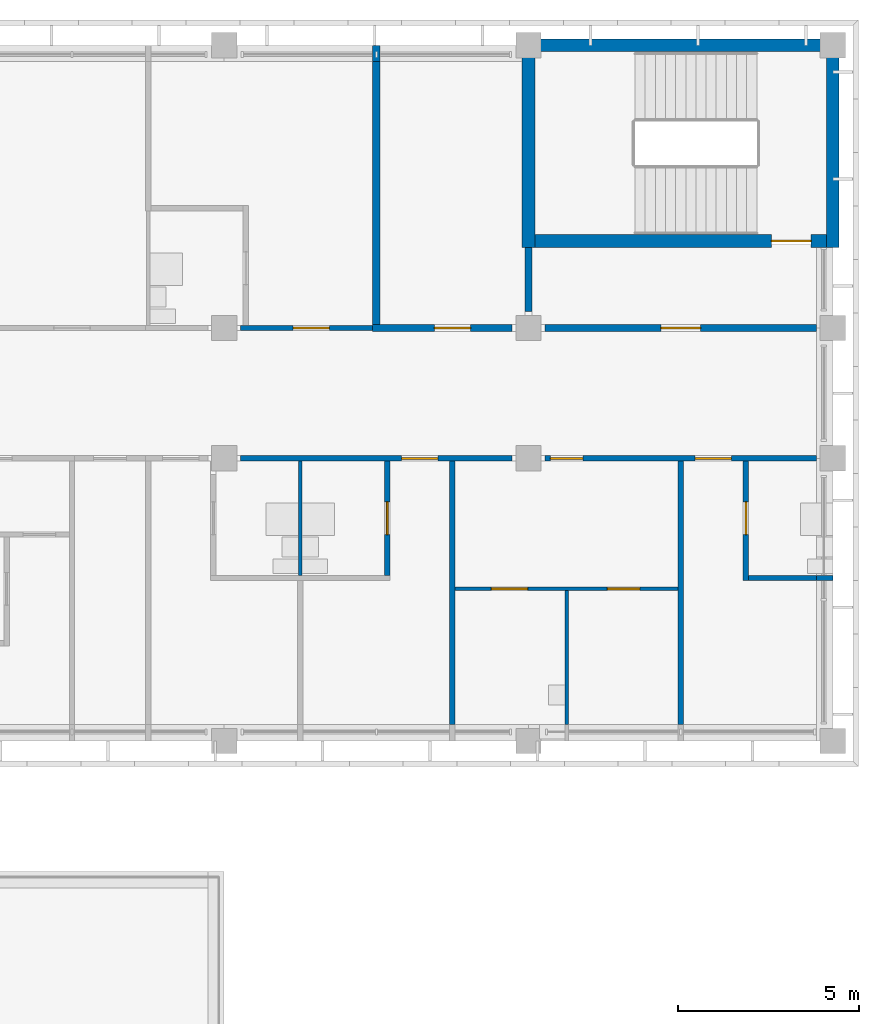
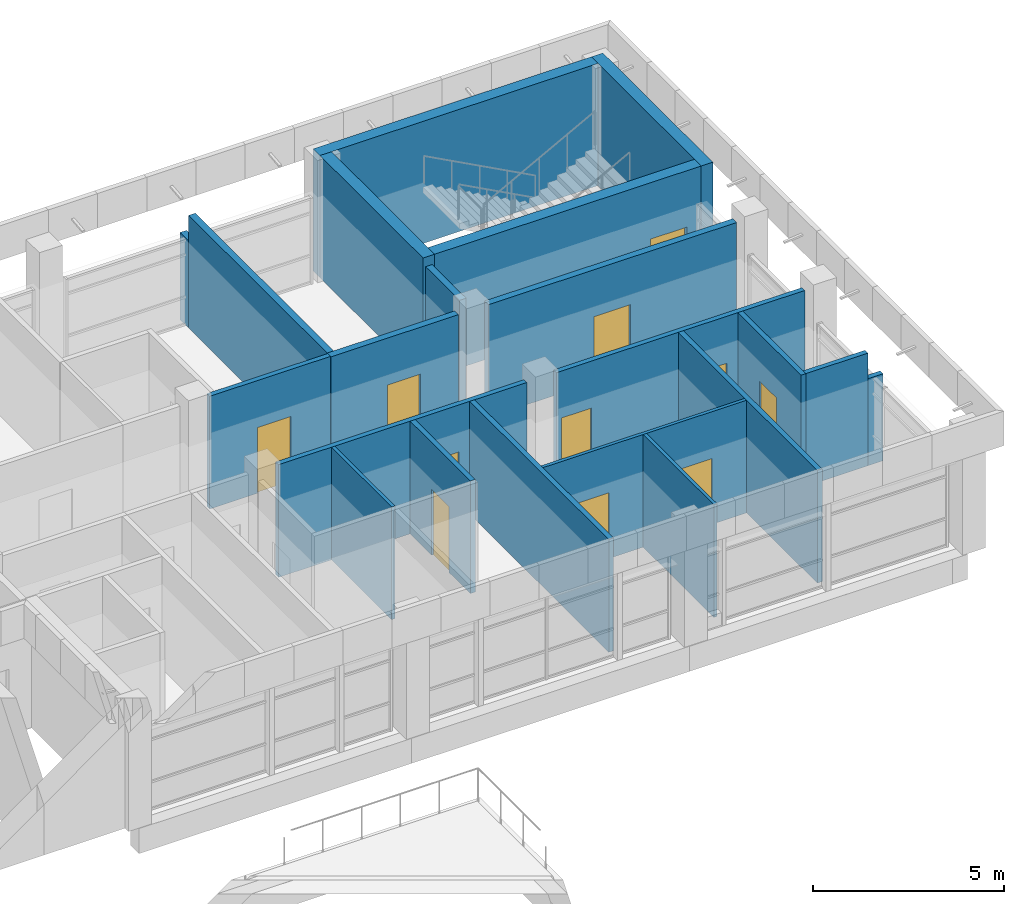
# One storey, part 27 of 46: 21 walls, 11 doors, 11 openings.
"""IFC4 building model written with IfcOpenShell, lengths in metres."""

from ifc_helpers import new_model, si_unit, direction, frame, frame_2d, origin, place, context, subcontext, project, spatial, rectangle, extrude, material, layer, layer_set, type_object, element, fill, save


model = new_model("IFC4")

# Units and contexts
model_context = context("Model", 3, precision=1e-05, world=origin(), true_north=direction((0.0, 1.0)))
body_context = subcontext(model_context, "Body", "Model", "MODEL_VIEW")
ifc_project = project(units=[si_unit("LENGTHUNIT", "METRE"), si_unit("AREAUNIT", "SQUARE_METRE"), si_unit("VOLUMEUNIT", "CUBIC_METRE"), si_unit("PLANEANGLEUNIT", "RADIAN"), si_unit("MASSUNIT", "GRAM", prefix="KILO")], contexts=[model_context])

# Site, building, storey
site_placement = place(None, origin())
site = spatial("IfcSite", under=ifc_project, at=site_placement, CompositionType="ELEMENT")
building_placement = place(site_placement, origin())
building = spatial("IfcBuilding", under=site, at=building_placement, Name="Bougainvillea Quay General Hospital", CompositionType="ELEMENT")
storey_placement = place(building_placement, frame((0.0, 0.0, 28.800048828125)))
storey = spatial("IfcBuildingStorey", under=building, at=storey_placement, Name="L06", CompositionType="ELEMENT", Elevation=28.800048828125)

# Wall, openings, doors
ifc_material_1 = material(Name="Gypsum board partition on steel studs", Category="steel")
ifc_layer_1 = layer(ifc_material_1, 0.10009765625)
ifc_layer_set_1 = layer_set([ifc_layer_1], Name="Gypsum board partition on steel studs")
wall_type_1 = type_object("IfcWallType", Name="Partition 100 Gypsum board partition", PredefinedType="PARTITIONING", material=ifc_layer_set_1)
wall_1_placement = place(storey_placement, frame((174.375, 144.60009765625, 0.0), z_axis=(0.0, 0.0, 1.0), x_axis=(1.0, 0.0, 0.0)))
wall_1 = element("IfcWall", 1, at=wall_1_placement, inside=storey, type_object=wall_type_1, Name="Partition 100 mm", PredefinedType="PARTITIONING", context=body_context, shape_type="SweptSolid", body=[
    extrude(rectangle(XDim=6.14990234375, YDim=0.10009765625, at=frame_2d((3.074951171875, 0.0))), origin(), (0.0, 0.0, 1.0), 3.599853515625),
])
opening_1_placement = place(wall_1_placement, frame((1.0, 0.0, 0.0)))
opening_1 = element("IfcOpeningElement", 2, at=opening_1_placement, cuts=wall_1, Name="Opening L06.097", PredefinedType="OPENING", context=body_context, shape_type="SweptSolid", body=[
    extrude(rectangle(XDim=1.0, YDim=2.10009765625, at=frame_2d((0.5, 1.050048828125))), frame((0.0, 0.06005859375, 0.0), z_axis=(0.0, -1.0, 0.0), x_axis=(1.0, 0.0, 0.0)), (0.0, 0.0, 1.0), 0.1201171875),
])
opening_2_placement = place(wall_1_placement, frame((4.199951171875, 0.0, 0.0)))
opening_2 = element("IfcOpeningElement", 3, at=opening_2_placement, cuts=wall_1, Name="Opening L06.098", PredefinedType="OPENING", context=body_context, shape_type="SweptSolid", body=[
    extrude(rectangle(XDim=0.89990234375, YDim=2.10009765625, at=frame_2d((0.449951171875, 1.050048828125))), frame((0.0, 0.06005859375, 0.0), z_axis=(0.0, -1.0, 0.0), x_axis=(1.0, 0.0, 0.0)), (0.0, 0.0, 1.0), 0.1201171875),
])
ifc_material_2 = material(Name="Solid-core timber door leaf in steel frame", Category="steel")
door_type_1 = type_object("IfcDoorType", Name="Single leaf door 1000x2100", OperationType="NOTDEFINED", PredefinedType="DOOR", material=ifc_material_2)
door_1_placement = place(opening_1_placement, frame((1.0, 0.0, 0.0), z_axis=(0.0, 0.0, 1.0), x_axis=(-1.0, 0.0, 0.0)))
door_1 = element("IfcDoor", 4, at=door_1_placement, inside=storey, type_object=door_type_1, Name="DT06 L06.097", OperationType="SINGLE_SWING_RIGHT", OverallHeight=2.10009765625, OverallWidth=1.0, PredefinedType="DOOR", context=body_context, shape_type="SweptSolid", body=[
    extrude(rectangle(XDim=1.0, YDim=2.10009765625, at=frame_2d((0.5, 1.050048828125))), frame((0.0, 0.02490234375, 0.0), z_axis=(0.0, -1.0, 0.0), x_axis=(1.0, 0.0, 0.0)), (0.0, 0.0, 1.0), 0.050048828125),
])
fill(opening_1, door_1)
door_type_2 = type_object("IfcDoorType", Name="Single leaf door 900x2100", OperationType="NOTDEFINED", PredefinedType="DOOR", material=ifc_material_2)
door_2_placement = place(opening_2_placement, frame((0.89990234375, 0.0, 0.0), z_axis=(0.0, 0.0, 1.0), x_axis=(-1.0, 0.0, 0.0)))
door_2 = element("IfcDoor", 5, at=door_2_placement, inside=storey, type_object=door_type_2, Name="DT07 L06.098", OperationType="SINGLE_SWING_LEFT", OverallHeight=2.10009765625, OverallWidth=0.89990234375, PredefinedType="DOOR", context=body_context, shape_type="SweptSolid", body=[
    extrude(rectangle(XDim=0.89990234375, YDim=2.10009765625, at=frame_2d((0.449951171875, 1.050048828125))), frame((0.0, 0.02490234375, 0.0), z_axis=(0.0, -1.0, 0.0), x_axis=(1.0, 0.0, 0.0)), (0.0, 0.0, 1.0), 0.050048828125),
])
fill(opening_2, door_2)

# Walls
wall_2_placement = place(storey_placement, frame((177.449951171875, 140.85009765625, 0.0), z_axis=(0.0, 0.0, 1.0), x_axis=(0.0, 1.0, 0.0)))
element("IfcWall", 6, at=wall_2_placement, inside=storey, type_object=wall_type_1, Name="Partition 100 mm", PredefinedType="PARTITIONING", context=body_context, shape_type="SweptSolid", body=[
    extrude(rectangle(XDim=3.699951171875, YDim=0.10009765625, at=frame_2d((1.85009765625, 0.0))), origin(), (0.0, 0.0, 1.0), 3.599853515625),
])
wall_3_placement = place(storey_placement, frame((170.10009765625, 144.97509765625, 0.0), z_axis=(0.0, 0.0, 1.0), x_axis=(0.0, 1.0, 0.0)))
element("IfcWall", 7, at=wall_3_placement, inside=storey, type_object=wall_type_1, Name="Partition 100 mm", PredefinedType="PARTITIONING", context=body_context, shape_type="SweptSolid", body=[
    extrude(rectangle(XDim=3.14990234375, YDim=0.10009765625, at=frame_2d((1.574951171875, 0.0))), origin(), (0.0, 0.0, 1.0), 3.599853515625),
])
ifc_material_3 = material(Name="Gypsum board partition on steel studs, insulated", Category="steel")
ifc_layer_2 = layer(ifc_material_3, 0.14990234375)
ifc_layer_set_2 = layer_set([ifc_layer_2], Name="Gypsum board partition on steel studs, insulated")
wall_type_2 = type_object("IfcWallType", Name="Partition 150 Gypsum board partition", PredefinedType="PARTITIONING", material=ifc_layer_set_2)
for number, where, z_axis, x_axis, name in (
    (8, (174.300048828125, 140.85009765625, 0.0), (0.0, 0.0, 1.0), (0.0, 1.0, 0.0), "Partition 150 mm"),
    (9, (180.60009765625, 140.85009765625, 0.0), (0.0, 0.0, 1.0), (0.0, 1.0, 0.0), "Partition 150 mm"),
):
    element("IfcWall", number, at=place(storey_placement, frame(where, z_axis=z_axis, x_axis=x_axis)), inside=storey, type_object=wall_type_2, Name=name, PredefinedType="PARTITIONING", context=body_context, shape_type="SweptSolid", body=[
        extrude(rectangle(XDim=7.27490234375, YDim=0.14990234375, at=frame_2d((3.637451171875, 0.0))), origin(), (0.0, 0.0, 1.0), 3.599853515625),
    ])

# Wall, opening, door
wall_4_placement = place(storey_placement, frame((172.5, 144.97509765625, 0.0), z_axis=(0.0, 0.0, 1.0), x_axis=(0.0, 1.0, 0.0)))
wall_4 = element("IfcWall", 10, at=wall_4_placement, inside=storey, type_object=wall_type_2, Name="Partition 150 mm", PredefinedType="PARTITIONING", context=body_context, shape_type="SweptSolid", body=[
    extrude(rectangle(XDim=3.14990234375, YDim=0.14990234375, at=frame_2d((1.574951171875, 0.0))), origin(), (0.0, 0.0, 1.0), 3.599853515625),
])
opening_3_placement = place(wall_4_placement, frame((1.125, 0.0, 0.0)))
opening_3 = element("IfcOpeningElement", 11, at=opening_3_placement, cuts=wall_4, Name="Opening L06.095", PredefinedType="OPENING", context=body_context, shape_type="SweptSolid", body=[
    extrude(rectangle(XDim=0.89990234375, YDim=2.10009765625, at=frame_2d((0.449951171875, 1.050048828125))), frame((0.0, 0.0849609375, 0.0), z_axis=(0.0, -1.0, 0.0), x_axis=(1.0, 0.0, 0.0)), (0.0, 0.0, 1.0), 0.169921875),
])
door_3_placement = place(opening_3_placement, origin())
door_3 = element("IfcDoor", 12, at=door_3_placement, inside=storey, type_object=door_type_2, Name="DT07 L06.095", OperationType="SINGLE_SWING_RIGHT", OverallHeight=2.10009765625, OverallWidth=0.89990234375, PredefinedType="DOOR", context=body_context, shape_type="SweptSolid", body=[
    extrude(rectangle(XDim=0.89990234375, YDim=2.10009765625, at=frame_2d((0.449951171875, 1.050048828125))), frame((0.0, 0.02490234375, 0.0), z_axis=(0.0, -1.0, 0.0), x_axis=(1.0, 0.0, 0.0)), (0.0, 0.0, 1.0), 0.050048828125),
])
fill(opening_3, door_3)

wall_5_placement = place(storey_placement, frame((182.39990234375, 144.824951171875, 0.0), z_axis=(0.0, 0.0, 1.0), x_axis=(0.0, 1.0, 0.0)))
wall_5 = element("IfcWall", 13, at=wall_5_placement, inside=storey, type_object=wall_type_2, Name="Partition 150 mm", PredefinedType="PARTITIONING", context=body_context, shape_type="SweptSolid", body=[
    extrude(rectangle(XDim=3.300048828125, YDim=0.14990234375, at=frame_2d((1.64990234375, 0.0))), origin(), (0.0, 0.0, 1.0), 3.599853515625),
])
opening_4_placement = place(wall_5_placement, frame((1.27490234375, 0.0, 0.0)))
opening_4 = element("IfcOpeningElement", 14, at=opening_4_placement, cuts=wall_5, Name="Opening L06.100", PredefinedType="OPENING", context=body_context, shape_type="SweptSolid", body=[
    extrude(rectangle(XDim=0.89990234375, YDim=2.10009765625, at=frame_2d((0.449951171875, 1.050048828125))), frame((0.0, 0.0849609375, 0.0), z_axis=(0.0, -1.0, 0.0), x_axis=(1.0, 0.0, 0.0)), (0.0, 0.0, 1.0), 0.169921875),
])
door_4_placement = place(opening_4_placement, frame((0.89990234375, 0.0, 0.0), z_axis=(0.0, 0.0, 1.0), x_axis=(-1.0, 0.0, 0.0)))
door_4 = element("IfcDoor", 15, at=door_4_placement, inside=storey, type_object=door_type_2, Name="DT07 L06.100", OperationType="SINGLE_SWING_LEFT", OverallHeight=2.10009765625, OverallWidth=0.89990234375, PredefinedType="DOOR", context=body_context, shape_type="SweptSolid", body=[
    extrude(rectangle(XDim=0.89990234375, YDim=2.10009765625, at=frame_2d((0.449951171875, 1.050048828125))), frame((0.0, 0.02490234375, 0.0), z_axis=(0.0, -1.0, 0.0), x_axis=(1.0, 0.0, 0.0)), (0.0, 0.0, 1.0), 0.050048828125),
])
fill(opening_4, door_4)

# Walls
wall_6_placement = place(storey_placement, frame((182.47509765625, 144.89990234375, 0.0), z_axis=(0.0, 0.0, 1.0), x_axis=(1.0, 0.0, 0.0)))
element("IfcWall", 16, at=wall_6_placement, inside=storey, type_object=wall_type_2, Name="Partition 150 mm", PredefinedType="PARTITIONING", context=body_context, shape_type="SweptSolid", body=[
    extrude(rectangle(XDim=1.875, YDim=0.14990234375, at=frame_2d((0.9375, 0.0))), origin(), (0.0, 0.0, 1.0), 3.599853515625),
])
wall_7_placement = place(storey_placement, frame((184.35009765625, 144.89990234375, 0.0), z_axis=(0.0, 0.0, 1.0), x_axis=(1.0, 0.0, 0.0)))
element("IfcWall", 17, at=wall_7_placement, inside=storey, type_object=wall_type_2, Name="Partition 150 mm", PredefinedType="PARTITIONING", context=body_context, shape_type="SweptSolid", body=[
    extrude(rectangle(XDim=0.449951171875, YDim=0.14990234375, at=frame_2d((0.22509765625, 0.0))), origin(), (0.0, 0.0, 1.0), 2.780029296875),
])

# Wall, openings, doors
ifc_layer_3 = layer(ifc_material_3, 0.14990234375)
ifc_layer_set_3 = layer_set([ifc_layer_3], Name="Gypsum board partition on steel studs, insulated")
wall_type_3 = type_object("IfcWallType", Name="Partition 150 Gypsum board partition EI 30", PredefinedType="PARTITIONING", material=ifc_layer_set_3)
wall_8_placement = place(storey_placement, frame((184.35009765625, 148.199951171875, 0.0), z_axis=(0.0, 0.0, 1.0), x_axis=(-1.0, 0.0, 0.0)))
wall_8 = element("IfcWall", 18, at=wall_8_placement, inside=storey, type_object=wall_type_3, Name="Partition 150 mm EI 30", PredefinedType="PARTITIONING", context=body_context, shape_type="SweptSolid", body=[
    extrude(rectangle(XDim=7.5, YDim=0.14990234375, at=frame_2d((3.75, 0.0))), origin(), (0.0, 0.0, 1.0), 3.599853515625),
])
opening_5_placement = place(wall_8_placement, frame((6.449951171875, 0.0, 0.0)))
opening_5 = element("IfcOpeningElement", 19, at=opening_5_placement, cuts=wall_8, Name="Opening L06.096", PredefinedType="OPENING", context=body_context, shape_type="SweptSolid", body=[
    extrude(rectangle(XDim=0.89990234375, YDim=2.10009765625, at=frame_2d((0.449951171875, 1.050048828125))), frame((0.0, 0.0849609375, 0.0), z_axis=(0.0, -1.0, 0.0), x_axis=(1.0, 0.0, 0.0)), (0.0, 0.0, 1.0), 0.169921875),
])
opening_6_placement = place(wall_8_placement, frame((2.35009765625, 0.0, 0.0)))
opening_6 = element("IfcOpeningElement", 20, at=opening_6_placement, cuts=wall_8, Name="Opening L06.099", PredefinedType="OPENING", context=body_context, shape_type="SweptSolid", body=[
    extrude(rectangle(XDim=1.0, YDim=2.10009765625, at=frame_2d((0.5, 1.050048828125))), frame((0.0, 0.0849609375, 0.0), z_axis=(0.0, -1.0, 0.0), x_axis=(1.0, 0.0, 0.0)), (0.0, 0.0, 1.0), 0.169921875),
])
door_type_3 = type_object("IfcDoorType", Name="Single leaf door 1000x2100 FD30S", OperationType="NOTDEFINED", PredefinedType="DOOR", material=ifc_material_2)
door_5_placement = place(opening_6_placement, origin())
door_5 = element("IfcDoor", 21, at=door_5_placement, inside=storey, type_object=door_type_3, Name="DT15 L06.099", OperationType="SINGLE_SWING_LEFT", OverallHeight=2.10009765625, OverallWidth=1.0, PredefinedType="DOOR", context=body_context, shape_type="SweptSolid", body=[
    extrude(rectangle(XDim=1.0, YDim=2.10009765625, at=frame_2d((0.5, 1.050048828125))), frame((0.0, 0.02490234375, 0.0), z_axis=(0.0, -1.0, 0.0), x_axis=(1.0, 0.0, 0.0)), (0.0, 0.0, 1.0), 0.050048828125),
])
fill(opening_6, door_5)
door_type_4 = type_object("IfcDoorType", Name="Single leaf door 900x2100 FD60", OperationType="NOTDEFINED", PredefinedType="DOOR", material=ifc_material_2)
door_6_placement = place(opening_5_placement, origin())
door_6 = element("IfcDoor", 22, at=door_6_placement, inside=storey, type_object=door_type_4, Name="DT18 L06.096", OperationType="SINGLE_SWING_RIGHT", OverallHeight=2.10009765625, OverallWidth=0.89990234375, PredefinedType="DOOR", context=body_context, shape_type="SweptSolid", body=[
    extrude(rectangle(XDim=0.89990234375, YDim=2.10009765625, at=frame_2d((0.449951171875, 1.050048828125))), frame((0.0, 0.02490234375, 0.0), z_axis=(0.0, -1.0, 0.0), x_axis=(1.0, 0.0, 0.0)), (0.0, 0.0, 1.0), 0.050048828125),
])
fill(opening_5, door_6)

# Wall, opening, door
wall_9_placement = place(storey_placement, frame((175.949951171875, 148.199951171875, 0.0), z_axis=(0.0, 0.0, 1.0), x_axis=(-1.0, 0.0, 0.0)))
wall_9 = element("IfcWall", 23, at=wall_9_placement, inside=storey, type_object=wall_type_3, Name="Partition 150 mm EI 30", PredefinedType="PARTITIONING", context=body_context, shape_type="SweptSolid", body=[
    extrude(rectangle(XDim=7.5, YDim=0.14990234375, at=frame_2d((3.75, 0.0))), origin(), (0.0, 0.0, 1.0), 3.599853515625),
])
opening_7_placement = place(wall_9_placement, frame((2.050048828125, 0.0, 0.0)))
opening_7 = element("IfcOpeningElement", 24, at=opening_7_placement, cuts=wall_9, Name="Opening L06.094", PredefinedType="OPENING", context=body_context, shape_type="SweptSolid", body=[
    extrude(rectangle(XDim=1.0, YDim=2.10009765625, at=frame_2d((0.5, 1.050048828125))), frame((0.0, 0.0849609375, 0.0), z_axis=(0.0, -1.0, 0.0), x_axis=(1.0, 0.0, 0.0)), (0.0, 0.0, 1.0), 0.169921875),
])
door_7_placement = place(opening_7_placement, origin())
door_7 = element("IfcDoor", 25, at=door_7_placement, inside=storey, type_object=door_type_3, Name="DT15 L06.094", OperationType="SINGLE_SWING_LEFT", OverallHeight=2.10009765625, OverallWidth=1.0, PredefinedType="DOOR", context=body_context, shape_type="SweptSolid", body=[
    extrude(rectangle(XDim=1.0, YDim=2.10009765625, at=frame_2d((0.5, 1.050048828125))), frame((0.0, 0.02490234375, 0.0), z_axis=(0.0, -1.0, 0.0), x_axis=(1.0, 0.0, 0.0)), (0.0, 0.0, 1.0), 0.050048828125),
])
fill(opening_7, door_7)

wall_10_placement = place(storey_placement, frame((168.449951171875, 151.800048828125, 0.0), z_axis=(0.0, 0.0, 1.0), x_axis=(1.0, 0.0, 0.0)))
wall_10 = element("IfcWall", 26, at=wall_10_placement, inside=storey, type_object=wall_type_3, Name="Partition 150 mm EI 30", PredefinedType="PARTITIONING", context=body_context, shape_type="SweptSolid", body=[
    extrude(rectangle(XDim=3.650146484375, YDim=0.14990234375, at=frame_2d((1.8251953125, 0.0))), origin(), (0.0, 0.0, 1.0), 3.599853515625),
])
opening_8_placement = place(wall_10_placement, frame((1.449951171875, 0.0, 0.0)))
opening_8 = element("IfcOpeningElement", 27, at=opening_8_placement, cuts=wall_10, Name="Opening L06.086", PredefinedType="OPENING", context=body_context, shape_type="SweptSolid", body=[
    extrude(rectangle(XDim=1.0, YDim=2.10009765625, at=frame_2d((0.5, 1.050048828125))), frame((0.0, 0.0849609375, 0.0), z_axis=(0.0, -1.0, 0.0), x_axis=(1.0, 0.0, 0.0)), (0.0, 0.0, 1.0), 0.169921875),
])
door_8_placement = place(opening_8_placement, origin())
door_8 = element("IfcDoor", 28, at=door_8_placement, inside=storey, type_object=door_type_3, Name="DT15 L06.086", OperationType="SINGLE_SWING_RIGHT", OverallHeight=2.10009765625, OverallWidth=1.0, PredefinedType="DOOR", context=body_context, shape_type="SweptSolid", body=[
    extrude(rectangle(XDim=1.0, YDim=2.10009765625, at=frame_2d((0.5, 1.050048828125))), frame((0.0, 0.02490234375, 0.0), z_axis=(0.0, -1.0, 0.0), x_axis=(1.0, 0.0, 0.0)), (0.0, 0.0, 1.0), 0.050048828125),
])
fill(opening_8, door_8)

ifc_material_4 = material(Name="Fire-rated autoclaved aerated block wall, plastered")
ifc_layer_4 = layer(ifc_material_4, 0.199951171875)
ifc_layer_set_4 = layer_set([ifc_layer_4], Name="Fire-rated autoclaved aerated block wall, plastered")
wall_type_4 = type_object("IfcWallType", Name="Partition 200 Fire-rated autoclaved aerated block wall EI 120", PredefinedType="SOLIDWALL", material=ifc_layer_set_4)
wall_11_placement = place(storey_placement, frame((172.10009765625, 151.800048828125, 0.0), z_axis=(0.0, 0.0, 1.0), x_axis=(1.0, 0.0, 0.0)))
wall_11 = element("IfcWall", 29, at=wall_11_placement, inside=storey, type_object=wall_type_4, Name="Partition 200 mm EI 120", PredefinedType="SOLIDWALL", context=body_context, shape_type="SweptSolid", body=[
    extrude(rectangle(XDim=3.849853515625, YDim=0.199951171875, at=frame_2d((1.9248046875, 0.0))), origin(), (0.0, 0.0, 1.0), 3.599853515625),
])
opening_9_placement = place(wall_11_placement, frame((1.699951171875, 0.0, 0.0)))
opening_9 = element("IfcOpeningElement", 30, at=opening_9_placement, cuts=wall_11, Name="Opening L06.104", PredefinedType="OPENING", context=body_context, shape_type="SweptSolid", body=[
    extrude(rectangle(XDim=1.0, YDim=2.10009765625, at=frame_2d((0.5, 1.050048828125))), frame((0.0, 0.10986328125, 0.0), z_axis=(0.0, -1.0, 0.0), x_axis=(1.0, 0.0, 0.0)), (0.0, 0.0, 1.0), 0.219970703125),
])
ifc_material_5 = material(Name="Steel fire door leaf in steel frame", Category="steel")
door_type_5 = type_object("IfcDoorType", Name="Steel single leaf door 1000x2100 FD90", OperationType="NOTDEFINED", PredefinedType="DOOR", material=ifc_material_5)
door_9_placement = place(opening_9_placement, origin())
door_9 = element("IfcDoor", 31, at=door_9_placement, inside=storey, type_object=door_type_5, Name="DT11 L06.104", OperationType="SINGLE_SWING_RIGHT", OverallHeight=2.10009765625, OverallWidth=1.0, PredefinedType="DOOR", context=body_context, shape_type="SweptSolid", body=[
    extrude(rectangle(XDim=1.0, YDim=2.10009765625, at=frame_2d((0.5, 1.050048828125))), frame((0.0, 0.02490234375, 0.0), z_axis=(0.0, -1.0, 0.0), x_axis=(1.0, 0.0, 0.0)), (0.0, 0.0, 1.0), 0.050048828125),
])
fill(opening_9, door_9)

wall_12_placement = place(storey_placement, frame((176.85009765625, 151.800048828125, 0.0), z_axis=(0.0, 0.0, 1.0), x_axis=(1.0, 0.0, 0.0)))
wall_12 = element("IfcWall", 32, at=wall_12_placement, inside=storey, type_object=wall_type_4, Name="Partition 200 mm EI 120", PredefinedType="SOLIDWALL", context=body_context, shape_type="SweptSolid", body=[
    extrude(rectangle(XDim=7.5, YDim=0.199951171875, at=frame_2d((3.75, 0.0))), origin(), (0.0, 0.0, 1.0), 3.599853515625),
])
opening_10_placement = place(wall_12_placement, frame((3.199951171875, 0.0, 0.0)))
opening_10 = element("IfcOpeningElement", 33, at=opening_10_placement, cuts=wall_12, Name="Opening L06.116", PredefinedType="OPENING", context=body_context, shape_type="SweptSolid", body=[
    extrude(rectangle(XDim=1.10009765625, YDim=2.10009765625, at=frame_2d((0.550048828125, 1.050048828125))), frame((0.0, 0.10986328125, 0.0), z_axis=(0.0, -1.0, 0.0), x_axis=(1.0, 0.0, 0.0)), (0.0, 0.0, 1.0), 0.219970703125),
])
door_type_6 = type_object("IfcDoorType", Name="Steel single leaf door 1100x2100 FD60", OperationType="NOTDEFINED", PredefinedType="DOOR", material=ifc_material_5)
door_10_placement = place(opening_10_placement, origin())
door_10 = element("IfcDoor", 34, at=door_10_placement, inside=storey, type_object=door_type_6, Name="DT04 L06.116", OperationType="SINGLE_SWING_RIGHT", OverallHeight=2.10009765625, OverallWidth=1.10009765625, PredefinedType="DOOR", context=body_context, shape_type="SweptSolid", body=[
    extrude(rectangle(XDim=1.10009765625, YDim=2.10009765625, at=frame_2d((0.550048828125, 1.050048828125))), frame((0.0, 0.02490234375, 0.0), z_axis=(0.0, -1.0, 0.0), x_axis=(1.0, 0.0, 0.0)), (0.0, 0.0, 1.0), 0.050048828125),
])
fill(opening_10, door_10)

# Walls
wall_13_placement = place(storey_placement, frame((176.39990234375, 152.25, 0.0), z_axis=(0.0, 0.0, 1.0), x_axis=(0.0, 1.0, 0.0)))
element("IfcWall", 35, at=wall_13_placement, inside=storey, type_object=wall_type_4, Name="Partition 200 mm EI 120", PredefinedType="SOLIDWALL", context=body_context, shape_type="SweptSolid", body=[
    extrude(rectangle(XDim=1.77490234375, YDim=0.199951171875, at=frame_2d((0.887451171875, 0.0))), origin(), (0.0, 0.0, 1.0), 3.599853515625),
])
wall_14_placement = place(storey_placement, frame((172.199951171875, 151.89990234375, 0.0), z_axis=(0.0, 0.0, 1.0), x_axis=(0.0, 1.0, 0.0)))
element("IfcWall", 36, at=wall_14_placement, inside=storey, type_object=wall_type_4, Name="Partition 200 mm EI 120", PredefinedType="SOLIDWALL", context=body_context, shape_type="SweptSolid", body=[
    extrude(rectangle(XDim=7.25, YDim=0.199951171875, at=frame_2d((3.625, 0.0))), origin(), (0.0, 0.0, 1.0), 3.599853515625),
])
wall_15_placement = place(storey_placement, frame((172.199951171875, 159.14990234375, 0.0), z_axis=(0.0, 0.0, 1.0), x_axis=(0.0, 1.0, 0.0)))
element("IfcWall", 37, at=wall_15_placement, inside=storey, type_object=wall_type_4, Name="Partition 200 mm EI 120", PredefinedType="SOLIDWALL", context=body_context, shape_type="SweptSolid", body=[
    extrude(rectangle(XDim=0.4501953125, YDim=0.199951171875, at=frame_2d((0.22509765625, 0.0))), origin(), (0.0, 0.0, 1.0), 2.780029296875),
])
ifc_material_6 = material(Name="Concrete C40", Category="concrete")
ifc_layer_5 = layer(ifc_material_6, 0.35009765625)
ifc_layer_set_5 = layer_set([ifc_layer_5], Name="Concrete C40")
wall_type_5 = type_object("IfcWallType", Name="RC SHEAR WALL 350 C40", PredefinedType="SHEAR", material=ifc_layer_set_5)
wall_16_placement = place(storey_placement, frame((176.22509765625, 159.60009765625, 0.0), z_axis=(0.0, 0.0, 1.0), x_axis=(1.0, 0.0, 0.0)))
element("IfcWall", 38, at=wall_16_placement, inside=storey, type_object=wall_type_5, Name="Shear wall L06", PredefinedType="SHEAR", context=body_context, shape_type="SweptSolid", body=[
    extrude(rectangle(XDim=8.39990234375, YDim=0.35009765625, at=frame_2d((4.199951171875, 0.0))), origin(), (0.0, 0.0, 1.0), 3.89990234375),
])
wall_17_placement = place(storey_placement, frame((176.39990234375, 154.02490234375, 0.0), z_axis=(0.0, 0.0, 1.0), x_axis=(0.0, 1.0, 0.0)))
element("IfcWall", 39, at=wall_17_placement, inside=storey, type_object=wall_type_5, Name="Shear wall L06", PredefinedType="SHEAR", context=body_context, shape_type="SweptSolid", body=[
    extrude(rectangle(XDim=5.400146484375, YDim=0.35009765625, at=frame_2d((2.7001953125, 0.0))), origin(), (0.0, 0.0, 1.0), 3.89990234375),
])

# Wall, opening, door
wall_18_placement = place(storey_placement, frame((176.574951171875, 154.199951171875, 0.0), z_axis=(0.0, 0.0, 1.0), x_axis=(1.0, 0.0, 0.0)))
wall_18 = element("IfcWall", 40, at=wall_18_placement, inside=storey, type_object=wall_type_5, Name="Shear wall L06", PredefinedType="SHEAR", context=body_context, shape_type="SweptSolid", body=[
    extrude(rectangle(XDim=8.050048828125, YDim=0.35009765625, at=frame_2d((4.02490234375, 0.0))), origin(), (0.0, 0.0, 1.0), 3.89990234375),
])
opening_11_placement = place(wall_18_placement, frame((6.52490234375, 0.0, 0.0)))
opening_11 = element("IfcOpeningElement", 41, at=opening_11_placement, cuts=wall_18, Name="Opening L06.115", PredefinedType="OPENING", context=body_context, shape_type="SweptSolid", body=[
    extrude(rectangle(XDim=1.10009765625, YDim=2.10009765625, at=frame_2d((0.550048828125, 1.050048828125))), frame((0.0, 0.18505859375, 0.0), z_axis=(0.0, -1.0, 0.0), x_axis=(1.0, 0.0, 0.0)), (0.0, 0.0, 1.0), 0.3701171875),
])
door_11_placement = place(opening_11_placement, origin())
door_11 = element("IfcDoor", 42, at=door_11_placement, inside=storey, type_object=door_type_6, Name="DT04 L06.115", OperationType="SINGLE_SWING_RIGHT", OverallHeight=2.10009765625, OverallWidth=1.10009765625, PredefinedType="DOOR", context=body_context, shape_type="SweptSolid", body=[
    extrude(rectangle(XDim=1.10009765625, YDim=2.10009765625, at=frame_2d((0.550048828125, 1.050048828125))), frame((0.0, 0.02490234375, 0.0), z_axis=(0.0, -1.0, 0.0), x_axis=(1.0, 0.0, 0.0)), (0.0, 0.0, 1.0), 0.050048828125),
])
fill(opening_11, door_11)

# Wall
wall_19_placement = place(storey_placement, frame((184.800048828125, 154.02490234375, 0.0), z_axis=(0.0, 0.0, 1.0), x_axis=(0.0, 1.0, 0.0)))
element("IfcWall", 43, at=wall_19_placement, inside=storey, type_object=wall_type_5, Name="Shear wall L06", PredefinedType="SHEAR", context=body_context, shape_type="SweptSolid", body=[
    extrude(rectangle(XDim=5.75, YDim=0.35009765625, at=frame_2d((2.875, 0.0))), origin(), (0.0, 0.0, 1.0), 3.89990234375),
])

save(model, "model.ifc")
